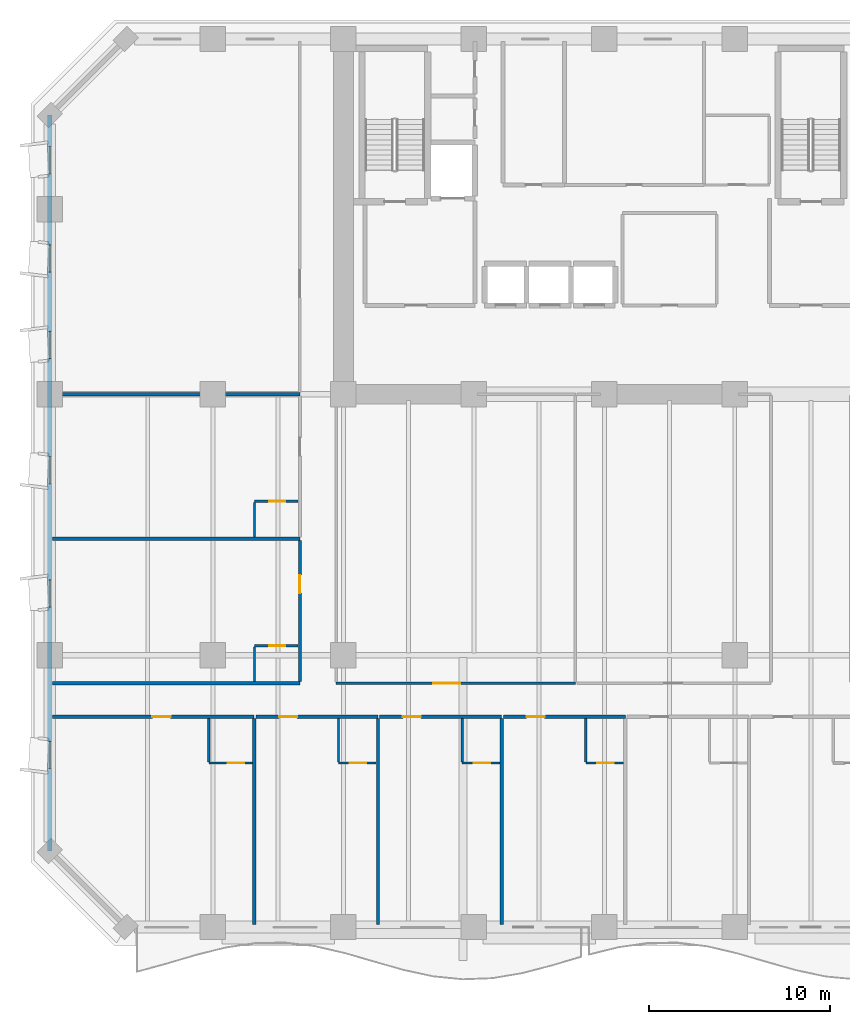
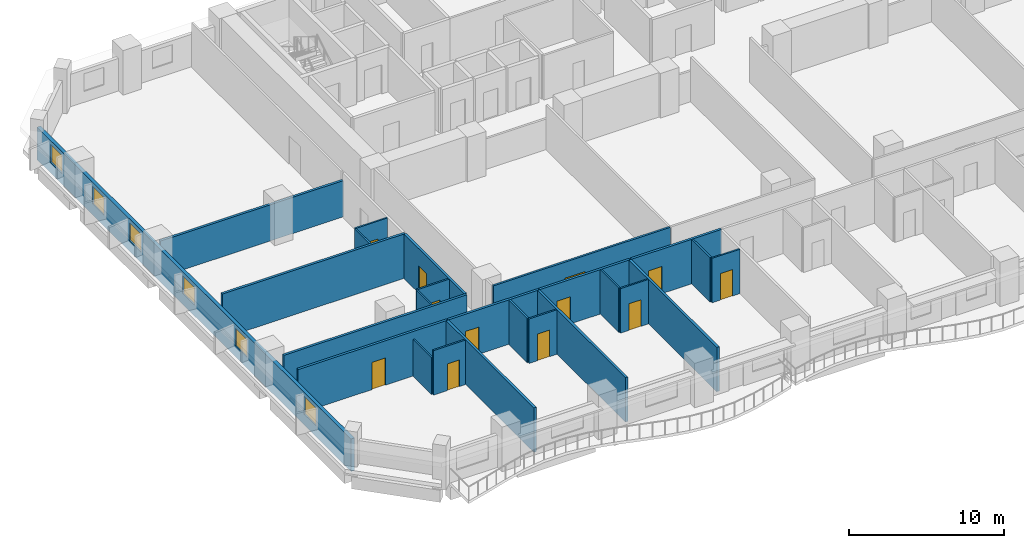
# One storey, part 4 of 15: 25 walls, 12 doors, 6 windows, 18 openings.
"""IFC4 building model written with IfcOpenShell, lengths in metres."""

from ifc_helpers import new_model, si_unit, direction, frame, frame_2d, origin, place, context, subcontext, project, spatial, rectangle, extrude, material, layer, layer_set, type_object, element, fill, save


model = new_model("IFC4")

# Units and contexts
model_context = context("Model", 3, precision=1e-05, world=origin(), true_north=direction((0.0, 1.0)))
body_context = subcontext(model_context, "Body", "Model", "MODEL_VIEW")
ifc_project = project(units=[si_unit("LENGTHUNIT", "METRE"), si_unit("AREAUNIT", "SQUARE_METRE"), si_unit("VOLUMEUNIT", "CUBIC_METRE"), si_unit("PLANEANGLEUNIT", "RADIAN"), si_unit("MASSUNIT", "GRAM", prefix="KILO")], contexts=[model_context])

# Site, building, storey
site_placement = place(None, origin())
site = spatial("IfcSite", under=ifc_project, at=site_placement, CompositionType="ELEMENT")
building_placement = place(site_placement, origin())
building = spatial("IfcBuilding", under=site, at=building_placement, Name="Kaelvorn Grand Hotel", CompositionType="ELEMENT")
storey_placement = place(building_placement, frame((0.0, 0.0, 57.64990234375)))
storey = spatial("IfcBuildingStorey", under=building, at=storey_placement, Name="L12", CompositionType="ELEMENT", Elevation=57.64990234375)

# Wall, openings, windows
ifc_material_1 = material(Name="Concrete C40/50", Category="concrete")
ifc_layer_1 = layer(ifc_material_1, 0.260009765625)
ifc_layer_set_1 = layer_set([ifc_layer_1], Name="Concrete C40/50")
wall_type_1 = type_object("IfcWallType", Name="WL-EXT-260-C40", PredefinedType="SOLIDWALL", material=ifc_layer_set_1)
wall_1_placement = place(storey_placement, frame((0.0, 44.800048828125, 0.0), z_axis=(0.0, 0.0, 1.0), x_axis=(0.0, -1.0, 0.0)))
wall_1 = element("IfcWall", 1, at=wall_1_placement, inside=storey, type_object=wall_type_1, Name="L12 Exterior Architectural Concrete Wall 07", PredefinedType="SOLIDWALL", context=body_context, shape_type="SweptSolid", body=[
    extrude(rectangle(XDim=40.60009765625, YDim=0.260009765625, at=frame_2d((20.300048828125, 0.0))), origin(), (0.0, 0.0, 1.0), 2.56005859375),
])
opening_1_placement = place(wall_1_placement, frame((34.550048828125, 0.0, 0.85009765625)))
opening_1 = element("IfcOpeningElement", 2, at=opening_1_placement, cuts=wall_1, Name="Opening W10", PredefinedType="OPENING", context=body_context, shape_type="SweptSolid", body=[
    extrude(rectangle(XDim=1.5, YDim=1.39990234375, at=frame_2d((0.75, 0.699951171875))), frame((0.0, 0.14013671875, 0.0), z_axis=(0.0, -1.0, 0.0), x_axis=(1.0, 0.0, 0.0)), (0.0, 0.0, 1.0), 0.280029296875),
])
opening_2_placement = place(wall_1_placement, frame((25.639892578125, 0.0, 0.85009765625)))
opening_2 = element("IfcOpeningElement", 3, at=opening_2_placement, cuts=wall_1, Name="Opening W10", PredefinedType="OPENING", context=body_context, shape_type="SweptSolid", body=[
    extrude(rectangle(XDim=1.5, YDim=1.39990234375, at=frame_2d((0.75, 0.699951171875))), frame((0.0, 0.14013671875, 0.0), z_axis=(0.0, -1.0, 0.0), x_axis=(1.0, 0.0, 0.0)), (0.0, 0.0, 1.0), 0.280029296875),
])
opening_3_placement = place(wall_1_placement, frame((18.840087890625, 0.0, 0.85009765625)))
opening_3 = element("IfcOpeningElement", 4, at=opening_3_placement, cuts=wall_1, Name="Opening W10", PredefinedType="OPENING", context=body_context, shape_type="SweptSolid", body=[
    extrude(rectangle(XDim=1.5, YDim=1.39990234375, at=frame_2d((0.75, 0.699951171875))), frame((0.0, 0.14013671875, 0.0), z_axis=(0.0, -1.0, 0.0), x_axis=(1.0, 0.0, 0.0)), (0.0, 0.0, 1.0), 0.280029296875),
])
opening_4_placement = place(wall_1_placement, frame((11.93505859375, 0.0, 0.85009765625)))
opening_4 = element("IfcOpeningElement", 5, at=opening_4_placement, cuts=wall_1, Name="Opening W10", PredefinedType="OPENING", context=body_context, shape_type="SweptSolid", body=[
    extrude(rectangle(XDim=1.5, YDim=1.39990234375, at=frame_2d((0.75, 0.699951171875))), frame((0.0, 0.14013671875, 0.0), z_axis=(0.0, -1.0, 0.0), x_axis=(1.0, 0.0, 0.0)), (0.0, 0.0, 1.0), 0.280029296875),
])
opening_5_placement = place(wall_1_placement, frame((7.1650390625, 0.0, 0.85009765625)))
opening_5 = element("IfcOpeningElement", 6, at=opening_5_placement, cuts=wall_1, Name="Opening W10", PredefinedType="OPENING", context=body_context, shape_type="SweptSolid", body=[
    extrude(rectangle(XDim=1.5, YDim=1.39990234375, at=frame_2d((0.75, 0.699951171875))), frame((0.0, 0.14013671875, 0.0), z_axis=(0.0, -1.0, 0.0), x_axis=(1.0, 0.0, 0.0)), (0.0, 0.0, 1.0), 0.280029296875),
])
opening_6_placement = place(wall_1_placement, frame((1.735107421875, 0.0, 0.85009765625)))
opening_6 = element("IfcOpeningElement", 7, at=opening_6_placement, cuts=wall_1, Name="Opening W10", PredefinedType="OPENING", context=body_context, shape_type="SweptSolid", body=[
    extrude(rectangle(XDim=1.5, YDim=1.39990234375, at=frame_2d((0.75, 0.699951171875))), frame((0.0, 0.14013671875, 0.0), z_axis=(0.0, -1.0, 0.0), x_axis=(1.0, 0.0, 0.0)), (0.0, 0.0, 1.0), 0.280029296875),
])
ifc_material_2 = material(Name="Laminated Low-E Glass", Category="glass")
window_type = type_object("IfcWindowType", Name="WIN-COR-1500x1400", PartitioningType="SINGLE_PANEL", PredefinedType="WINDOW", material=ifc_material_2)
window_1_placement = place(opening_1_placement, origin())
window_1 = element("IfcWindow", 8, at=window_1_placement, inside=storey, type_object=window_type, Name="L12 W Wing Tilted-Frame Ribbon Window W01", OverallHeight=1.39990234375, OverallWidth=1.5, PartitioningType="SINGLE_PANEL", PredefinedType="WINDOW", context=body_context, shape_type="SweptSolid", body=[
    extrude(rectangle(XDim=1.5, YDim=1.39990234375, at=frame_2d((0.75, 0.699951171875))), frame((0.0, 0.030029296875, 0.0), z_axis=(0.0, -1.0, 0.0), x_axis=(1.0, 0.0, 0.0)), (0.0, 0.0, 1.0), 0.06005859375),
])
fill(opening_1, window_1)
window_2_placement = place(opening_2_placement, origin())
window_2 = element("IfcWindow", 9, at=window_2_placement, inside=storey, type_object=window_type, Name="L12 W Wing Tilted-Frame Ribbon Window W02", OverallHeight=1.39990234375, OverallWidth=1.5, PartitioningType="SINGLE_PANEL", PredefinedType="WINDOW", context=body_context, shape_type="SweptSolid", body=[
    extrude(rectangle(XDim=1.5, YDim=1.39990234375, at=frame_2d((0.75, 0.699951171875))), frame((0.0, 0.030029296875, 0.0), z_axis=(0.0, -1.0, 0.0), x_axis=(1.0, 0.0, 0.0)), (0.0, 0.0, 1.0), 0.06005859375),
])
fill(opening_2, window_2)
window_3_placement = place(opening_3_placement, origin())
window_3 = element("IfcWindow", 10, at=window_3_placement, inside=storey, type_object=window_type, Name="L12 W Wing Tilted-Frame Ribbon Window W03", OverallHeight=1.39990234375, OverallWidth=1.5, PartitioningType="SINGLE_PANEL", PredefinedType="WINDOW", context=body_context, shape_type="SweptSolid", body=[
    extrude(rectangle(XDim=1.5, YDim=1.39990234375, at=frame_2d((0.75, 0.699951171875))), frame((0.0, 0.030029296875, 0.0), z_axis=(0.0, -1.0, 0.0), x_axis=(1.0, 0.0, 0.0)), (0.0, 0.0, 1.0), 0.06005859375),
])
fill(opening_3, window_3)
window_4_placement = place(opening_4_placement, origin())
window_4 = element("IfcWindow", 11, at=window_4_placement, inside=storey, type_object=window_type, Name="L12 W Wing Tilted-Frame Ribbon Window W04", OverallHeight=1.39990234375, OverallWidth=1.5, PartitioningType="SINGLE_PANEL", PredefinedType="WINDOW", context=body_context, shape_type="SweptSolid", body=[
    extrude(rectangle(XDim=1.5, YDim=1.39990234375, at=frame_2d((0.75, 0.699951171875))), frame((0.0, 0.030029296875, 0.0), z_axis=(0.0, -1.0, 0.0), x_axis=(1.0, 0.0, 0.0)), (0.0, 0.0, 1.0), 0.06005859375),
])
fill(opening_4, window_4)
window_5_placement = place(opening_5_placement, origin())
window_5 = element("IfcWindow", 12, at=window_5_placement, inside=storey, type_object=window_type, Name="L12 W Wing Tilted-Frame Ribbon Window W05", OverallHeight=1.39990234375, OverallWidth=1.5, PartitioningType="SINGLE_PANEL", PredefinedType="WINDOW", context=body_context, shape_type="SweptSolid", body=[
    extrude(rectangle(XDim=1.5, YDim=1.39990234375, at=frame_2d((0.75, 0.699951171875))), frame((0.0, 0.030029296875, 0.0), z_axis=(0.0, -1.0, 0.0), x_axis=(1.0, 0.0, 0.0)), (0.0, 0.0, 1.0), 0.06005859375),
])
fill(opening_5, window_5)
window_6_placement = place(opening_6_placement, origin())
window_6 = element("IfcWindow", 13, at=window_6_placement, inside=storey, type_object=window_type, Name="L12 W Wing Tilted-Frame Ribbon Window W06", OverallHeight=1.39990234375, OverallWidth=1.5, PartitioningType="SINGLE_PANEL", PredefinedType="WINDOW", context=body_context, shape_type="SweptSolid", body=[
    extrude(rectangle(XDim=1.5, YDim=1.39990234375, at=frame_2d((0.75, 0.699951171875))), frame((0.0, 0.030029296875, 0.0), z_axis=(0.0, -1.0, 0.0), x_axis=(1.0, 0.0, 0.0)), (0.0, 0.0, 1.0), 0.06005859375),
])
fill(opening_6, window_6)

# Wall, opening, door
ifc_material_3 = material(Name="Moisture-Resistant Tile & Stud Board")
ifc_layer_2 = layer(ifc_material_3, 0.125)
ifc_layer_set_2 = layer_set([ifc_layer_2], Name="Moisture-Resistant Tile & Stud Board")
wall_type_2 = type_object("IfcWallType", Name="WL-PART-125-WET", PredefinedType="PARTITIONING", material=ifc_layer_set_2)
wall_2_placement = place(storey_placement, frame((8.77734375, 9.050048828125, 0.0), z_axis=(0.0, 0.0, 1.0), x_axis=(1.0, 0.0, 0.0)))
wall_2 = element("IfcWall", 14, at=wall_2_placement, inside=storey, type_object=wall_type_2, Name="L12 En-suite Bathroom L12-01 S Partition", PredefinedType="PARTITIONING", context=body_context, shape_type="SweptSolid", body=[
    extrude(rectangle(XDim=2.405029296875, YDim=0.125, at=frame_2d((1.20263671875, 0.0))), origin(), (0.0, 0.0, 1.0), 3.510009765625),
])
opening_7_placement = place(wall_2_placement, frame((1.050048828125, 0.0, 0.0)))
opening_7 = element("IfcOpeningElement", 15, at=opening_7_placement, cuts=wall_2, Name="Opening DI4", PredefinedType="OPENING", context=body_context, shape_type="SweptSolid", body=[
    extrude(rectangle(XDim=0.89990234375, YDim=2.10009765625, at=frame_2d((0.449951171875, 1.050048828125))), frame((0.0, 0.072509765625, 0.0), z_axis=(0.0, -1.0, 0.0), x_axis=(1.0, 0.0, 0.0)), (0.0, 0.0, 1.0), 0.14501953125),
])
ifc_material_4 = material(Name="Timber Veneer Leaf", Category="wood")
door_type_1 = type_object("IfcDoorType", Name="DR-INT-BATH-900x2100", OperationType="NOTDEFINED", PredefinedType="DOOR", material=ifc_material_4)
door_1_placement = place(opening_7_placement, origin())
door_1 = element("IfcDoor", 16, at=door_1_placement, inside=storey, type_object=door_type_1, Name="L12 En-suite Bathroom L12-01 Door", OperationType="SINGLE_SWING_LEFT", OverallHeight=2.10009765625, OverallWidth=0.89990234375, PredefinedType="DOOR", context=body_context, shape_type="SweptSolid", body=[
    extrude(rectangle(XDim=0.89990234375, YDim=2.10009765625, at=frame_2d((0.449951171875, 1.050048828125))), frame((0.0, 0.02490234375, 0.0), z_axis=(0.0, -1.0, 0.0), x_axis=(1.0, 0.0, 0.0)), (0.0, 0.0, 1.0), 0.050048828125),
])
fill(opening_7, door_1)

# Wall
wall_3_placement = place(storey_placement, frame((8.77734375, 9.117431640625, 0.0), z_axis=(0.0, 0.0, 1.0), x_axis=(0.0, 1.0, 0.0)))
element("IfcWall", 17, at=wall_3_placement, inside=storey, type_object=wall_type_2, Name="L12 En-suite Bathroom L12-01 W Partition", PredefinedType="PARTITIONING", context=body_context, shape_type="SweptSolid", body=[
    extrude(rectangle(XDim=2.387451171875, YDim=0.125, at=frame_2d((1.19384765625, 0.0))), origin(), (0.0, 0.0, 1.0), 2.89794921875),
])

# Wall, opening, door
wall_4_placement = place(storey_placement, frame((15.924560546875, 9.050048828125, 0.0), z_axis=(0.0, 0.0, 1.0), x_axis=(1.0, 0.0, 0.0)))
wall_4 = element("IfcWall", 18, at=wall_4_placement, inside=storey, type_object=wall_type_2, Name="L12 En-suite Bathroom L12-02 S Partition", PredefinedType="PARTITIONING", context=body_context, shape_type="SweptSolid", body=[
    extrude(rectangle(XDim=2.0849609375, YDim=0.125, at=frame_2d((1.04248046875, 0.0))), origin(), (0.0, 0.0, 1.0), 3.510009765625),
])
opening_8_placement = place(wall_4_placement, frame((0.639892578125, 0.0, 0.0)))
opening_8 = element("IfcOpeningElement", 19, at=opening_8_placement, cuts=wall_4, Name="Opening DI4", PredefinedType="OPENING", context=body_context, shape_type="SweptSolid", body=[
    extrude(rectangle(XDim=0.89990234375, YDim=2.10009765625, at=frame_2d((0.449951171875, 1.050048828125))), frame((0.0, 0.072509765625, 0.0), z_axis=(0.0, -1.0, 0.0), x_axis=(1.0, 0.0, 0.0)), (0.0, 0.0, 1.0), 0.14501953125),
])
door_2_placement = place(opening_8_placement, origin())
door_2 = element("IfcDoor", 20, at=door_2_placement, inside=storey, type_object=door_type_1, Name="L12 En-suite Bathroom L12-02 Door", OperationType="SINGLE_SWING_LEFT", OverallHeight=2.10009765625, OverallWidth=0.89990234375, PredefinedType="DOOR", context=body_context, shape_type="SweptSolid", body=[
    extrude(rectangle(XDim=0.89990234375, YDim=2.10009765625, at=frame_2d((0.449951171875, 1.050048828125))), frame((0.0, 0.02490234375, 0.0), z_axis=(0.0, -1.0, 0.0), x_axis=(1.0, 0.0, 0.0)), (0.0, 0.0, 1.0), 0.050048828125),
])
fill(opening_8, door_2)

# Wall
wall_5_placement = place(storey_placement, frame((15.924560546875, 9.117431640625, 0.0), z_axis=(0.0, 0.0, 1.0), x_axis=(0.0, 1.0, 0.0)))
element("IfcWall", 21, at=wall_5_placement, inside=storey, type_object=wall_type_2, Name="L12 En-suite Bathroom L12-02 W Partition", PredefinedType="PARTITIONING", context=body_context, shape_type="SweptSolid", body=[
    extrude(rectangle(XDim=2.387451171875, YDim=0.125, at=frame_2d((1.19384765625, 0.0))), origin(), (0.0, 0.0, 1.0), 3.510009765625),
])

# Wall, opening, door
wall_6_placement = place(storey_placement, frame((22.751708984375, 9.050048828125, 0.0), z_axis=(0.0, 0.0, 1.0), x_axis=(1.0, 0.0, 0.0)))
wall_6 = element("IfcWall", 22, at=wall_6_placement, inside=storey, type_object=wall_type_2, Name="L12 En-suite Bathroom L12-03 S Partition", PredefinedType="PARTITIONING", context=body_context, shape_type="SweptSolid", body=[
    extrude(rectangle(XDim=2.085205078125, YDim=0.125, at=frame_2d((1.04248046875, 0.0))), origin(), (0.0, 0.0, 1.0), 3.510009765625),
])
opening_9_placement = place(wall_6_placement, frame((0.639892578125, 0.0, 0.0)))
opening_9 = element("IfcOpeningElement", 23, at=opening_9_placement, cuts=wall_6, Name="Opening DI4", PredefinedType="OPENING", context=body_context, shape_type="SweptSolid", body=[
    extrude(rectangle(XDim=0.89990234375, YDim=2.10009765625, at=frame_2d((0.449951171875, 1.050048828125))), frame((0.0, 0.072509765625, 0.0), z_axis=(0.0, -1.0, 0.0), x_axis=(1.0, 0.0, 0.0)), (0.0, 0.0, 1.0), 0.14501953125),
])
door_3_placement = place(opening_9_placement, origin())
door_3 = element("IfcDoor", 24, at=door_3_placement, inside=storey, type_object=door_type_1, Name="L12 En-suite Bathroom L12-03 Door", OperationType="SINGLE_SWING_LEFT", OverallHeight=2.10009765625, OverallWidth=0.89990234375, PredefinedType="DOOR", context=body_context, shape_type="SweptSolid", body=[
    extrude(rectangle(XDim=0.89990234375, YDim=2.10009765625, at=frame_2d((0.449951171875, 1.050048828125))), frame((0.0, 0.02490234375, 0.0), z_axis=(0.0, -1.0, 0.0), x_axis=(1.0, 0.0, 0.0)), (0.0, 0.0, 1.0), 0.050048828125),
])
fill(opening_9, door_3)

# Wall
wall_7_placement = place(storey_placement, frame((22.751708984375, 9.117431640625, 0.0), z_axis=(0.0, 0.0, 1.0), x_axis=(0.0, 1.0, 0.0)))
element("IfcWall", 25, at=wall_7_placement, inside=storey, type_object=wall_type_2, Name="L12 En-suite Bathroom L12-03 W Partition", PredefinedType="PARTITIONING", context=body_context, shape_type="SweptSolid", body=[
    extrude(rectangle(XDim=2.387451171875, YDim=0.125, at=frame_2d((1.19384765625, 0.0))), origin(), (0.0, 0.0, 1.0), 3.510009765625),
])

# Wall, opening, door
wall_8_placement = place(storey_placement, frame((29.5791015625, 9.050048828125, 0.0), z_axis=(0.0, 0.0, 1.0), x_axis=(1.0, 0.0, 0.0)))
wall_8 = element("IfcWall", 26, at=wall_8_placement, inside=storey, type_object=wall_type_2, Name="L12 En-suite Bathroom L12-04 S Partition", PredefinedType="PARTITIONING", context=body_context, shape_type="SweptSolid", body=[
    extrude(rectangle(XDim=2.0849609375, YDim=0.125, at=frame_2d((1.04248046875, 0.0))), origin(), (0.0, 0.0, 1.0), 3.510009765625),
])
opening_10_placement = place(wall_8_placement, frame((0.639892578125, 0.0, 0.0)))
opening_10 = element("IfcOpeningElement", 27, at=opening_10_placement, cuts=wall_8, Name="Opening DI4", PredefinedType="OPENING", context=body_context, shape_type="SweptSolid", body=[
    extrude(rectangle(XDim=0.89990234375, YDim=2.10009765625, at=frame_2d((0.449951171875, 1.050048828125))), frame((0.0, 0.072509765625, 0.0), z_axis=(0.0, -1.0, 0.0), x_axis=(1.0, 0.0, 0.0)), (0.0, 0.0, 1.0), 0.14501953125),
])
door_4_placement = place(opening_10_placement, origin())
door_4 = element("IfcDoor", 28, at=door_4_placement, inside=storey, type_object=door_type_1, Name="L12 En-suite Bathroom L12-04 Door", OperationType="SINGLE_SWING_LEFT", OverallHeight=2.10009765625, OverallWidth=0.89990234375, PredefinedType="DOOR", context=body_context, shape_type="SweptSolid", body=[
    extrude(rectangle(XDim=0.89990234375, YDim=2.10009765625, at=frame_2d((0.449951171875, 1.050048828125))), frame((0.0, 0.02490234375, 0.0), z_axis=(0.0, -1.0, 0.0), x_axis=(1.0, 0.0, 0.0)), (0.0, 0.0, 1.0), 0.050048828125),
])
fill(opening_10, door_4)

# Wall
wall_9_placement = place(storey_placement, frame((29.5791015625, 9.117431640625, 0.0), z_axis=(0.0, 0.0, 1.0), x_axis=(0.0, 1.0, 0.0)))
element("IfcWall", 29, at=wall_9_placement, inside=storey, type_object=wall_type_2, Name="L12 En-suite Bathroom L12-04 W Partition", PredefinedType="PARTITIONING", context=body_context, shape_type="SweptSolid", body=[
    extrude(rectangle(XDim=2.387451171875, YDim=0.125, at=frame_2d((1.19384765625, 0.0))), origin(), (0.0, 0.0, 1.0), 3.510009765625),
])

# Wall, opening, door
wall_10_placement = place(storey_placement, frame((11.300048828125, 15.52001953125, 0.0), z_axis=(0.0, 0.0, 1.0), x_axis=(1.0, 0.0, 0.0)))
wall_10 = element("IfcWall", 30, at=wall_10_placement, inside=storey, type_object=wall_type_2, Name="L12 En-suite Bathroom L12-12 N Partition", PredefinedType="PARTITIONING", context=body_context, shape_type="SweptSolid", body=[
    extrude(rectangle(XDim=2.405029296875, YDim=0.125, at=frame_2d((1.20263671875, 0.0))), origin(), (0.0, 0.0, 1.0), 3.510009765625),
])
opening_11_placement = place(wall_10_placement, frame((0.800048828125, 0.0, 0.0)))
opening_11 = element("IfcOpeningElement", 31, at=opening_11_placement, cuts=wall_10, Name="Opening DI4", PredefinedType="OPENING", context=body_context, shape_type="SweptSolid", body=[
    extrude(rectangle(XDim=0.89990234375, YDim=2.10009765625, at=frame_2d((0.449951171875, 1.050048828125))), frame((0.0, 0.072509765625, 0.0), z_axis=(0.0, -1.0, 0.0), x_axis=(1.0, 0.0, 0.0)), (0.0, 0.0, 1.0), 0.14501953125),
])
door_5_placement = place(opening_11_placement, origin())
door_5 = element("IfcDoor", 32, at=door_5_placement, inside=storey, type_object=door_type_1, Name="L12 En-suite Bathroom L12-12 Door", OperationType="SINGLE_SWING_LEFT", OverallHeight=2.10009765625, OverallWidth=0.89990234375, PredefinedType="DOOR", context=body_context, shape_type="SweptSolid", body=[
    extrude(rectangle(XDim=0.89990234375, YDim=2.10009765625, at=frame_2d((0.449951171875, 1.050048828125))), frame((0.0, 0.02490234375, 0.0), z_axis=(0.0, -1.0, 0.0), x_axis=(1.0, 0.0, 0.0)), (0.0, 0.0, 1.0), 0.050048828125),
])
fill(opening_11, door_5)

# Wall
wall_11_placement = place(storey_placement, frame((11.300048828125, 13.544921875, 0.0), z_axis=(0.0, 0.0, 1.0), x_axis=(0.0, 1.0, 0.0)))
element("IfcWall", 33, at=wall_11_placement, inside=storey, type_object=wall_type_2, Name="L12 En-suite Bathroom L12-12 W Partition", PredefinedType="PARTITIONING", context=body_context, shape_type="SweptSolid", body=[
    extrude(rectangle(XDim=1.907470703125, YDim=0.125, at=frame_2d((0.95361328125, 0.0))), origin(), (0.0, 0.0, 1.0), 3.510009765625),
])

# Wall, opening, door
wall_12_placement = place(storey_placement, frame((11.300048828125, 23.489990234375, 0.0), z_axis=(0.0, 0.0, 1.0), x_axis=(1.0, 0.0, 0.0)))
wall_12 = element("IfcWall", 34, at=wall_12_placement, inside=storey, type_object=wall_type_2, Name="L12 En-suite Bathroom L12-13 N Partition", PredefinedType="PARTITIONING", context=body_context, shape_type="SweptSolid", body=[
    extrude(rectangle(XDim=2.405029296875, YDim=0.125, at=frame_2d((1.20263671875, 0.0))), origin(), (0.0, 0.0, 1.0), 3.510009765625),
])
opening_12_placement = place(wall_12_placement, frame((0.800048828125, 0.0, 0.0)))
opening_12 = element("IfcOpeningElement", 35, at=opening_12_placement, cuts=wall_12, Name="Opening DI4", PredefinedType="OPENING", context=body_context, shape_type="SweptSolid", body=[
    extrude(rectangle(XDim=0.89990234375, YDim=2.10009765625, at=frame_2d((0.449951171875, 1.050048828125))), frame((0.0, 0.072509765625, 0.0), z_axis=(0.0, -1.0, 0.0), x_axis=(1.0, 0.0, 0.0)), (0.0, 0.0, 1.0), 0.14501953125),
])
door_6_placement = place(opening_12_placement, origin())
door_6 = element("IfcDoor", 36, at=door_6_placement, inside=storey, type_object=door_type_1, Name="L12 En-suite Bathroom L12-13 Door", OperationType="SINGLE_SWING_LEFT", OverallHeight=2.10009765625, OverallWidth=0.89990234375, PredefinedType="DOOR", context=body_context, shape_type="SweptSolid", body=[
    extrude(rectangle(XDim=0.89990234375, YDim=2.10009765625, at=frame_2d((0.449951171875, 1.050048828125))), frame((0.0, 0.02490234375, 0.0), z_axis=(0.0, -1.0, 0.0), x_axis=(1.0, 0.0, 0.0)), (0.0, 0.0, 1.0), 0.050048828125),
])
fill(opening_12, door_6)

# Wall
wall_13_placement = place(storey_placement, frame((11.300048828125, 21.514892578125, 0.0), z_axis=(0.0, 0.0, 1.0), x_axis=(0.0, 1.0, 0.0)))
element("IfcWall", 37, at=wall_13_placement, inside=storey, type_object=wall_type_2, Name="L12 En-suite Bathroom L12-13 W Partition", PredefinedType="PARTITIONING", context=body_context, shape_type="SweptSolid", body=[
    extrude(rectangle(XDim=1.90771484375, YDim=0.125, at=frame_2d((0.953857421875, 0.0))), origin(), (0.0, 0.0, 1.0), 3.510009765625),
])

# Wall, opening, door
ifc_material_5 = material(Name="Acoustic Gypsum & Stud Partition")
ifc_layer_3 = layer(ifc_material_5, 0.14990234375)
ifc_layer_set_3 = layer_set([ifc_layer_3], Name="Acoustic Gypsum & Stud Partition")
wall_type_3 = type_object("IfcWallType", Name="WL-PART-150-EI60", PredefinedType="PARTITIONING", material=ifc_layer_set_3)
wall_14_placement = place(storey_placement, frame((15.800048828125, 13.449951171875, 0.0), z_axis=(0.0, 0.0, 1.0), x_axis=(1.0, 0.0, 0.0)))
wall_14 = element("IfcWall", 38, at=wall_14_placement, inside=storey, type_object=wall_type_3, Name="L12 Reading Library Lounge S Partition", PredefinedType="PARTITIONING", context=body_context, shape_type="SweptSolid", body=[
    extrude(rectangle(XDim=13.199951171875, YDim=0.14990234375, at=frame_2d((6.60009765625, 0.0))), origin(), (0.0, 0.0, 1.0), 3.510009765625),
])
opening_13_placement = place(wall_14_placement, frame((5.35009765625, 0.0, 0.0)))
opening_13 = element("IfcOpeningElement", 39, at=opening_13_placement, cuts=wall_14, Name="Opening DI5", PredefinedType="OPENING", context=body_context, shape_type="SweptSolid", body=[
    extrude(rectangle(XDim=1.5, YDim=2.25, at=frame_2d((0.75, 1.125))), frame((0.0, 0.0849609375, 0.0), z_axis=(0.0, -1.0, 0.0), x_axis=(1.0, 0.0, 0.0)), (0.0, 0.0, 1.0), 0.169921875),
])
ifc_material_6 = material(Name="Timber Veneer Fire Leaf", Category="wood")
door_type_2 = type_object("IfcDoorType", Name="DR-INT-SALON-1500x2250", OperationType="DOUBLE_DOOR_SINGLE_SWING", PredefinedType="DOOR", material=ifc_material_6)
door_7_placement = place(opening_13_placement, origin())
door_7 = element("IfcDoor", 40, at=door_7_placement, inside=storey, type_object=door_type_2, Name="L12 Reading Library Lounge Door", OperationType="DOUBLE_DOOR_SINGLE_SWING", OverallHeight=2.25, OverallWidth=1.5, PredefinedType="DOOR", context=body_context, shape_type="SweptSolid", body=[
    extrude(rectangle(XDim=1.5, YDim=2.25, at=frame_2d((0.75, 1.125))), frame((0.0, 0.02490234375, 0.0), z_axis=(0.0, -1.0, 0.0), x_axis=(1.0, 0.0, 0.0)), (0.0, 0.0, 1.0), 0.050048828125),
])
fill(opening_13, door_7)

ifc_layer_4 = layer(ifc_material_5, 0.179931640625)
ifc_layer_set_4 = layer_set([ifc_layer_4], Name="Acoustic Gypsum & Stud Partition")
wall_type_4 = type_object("IfcWallType", Name="WL-PART-180-EI60", PredefinedType="PARTITIONING", material=ifc_layer_set_4)
wall_15_placement = place(storey_placement, frame((0.14990234375, 11.60009765625, 0.0), z_axis=(0.0, 0.0, 1.0), x_axis=(1.0, 0.0, 0.0)))
wall_15 = element("IfcWall", 41, at=wall_15_placement, inside=storey, type_object=wall_type_4, Name="L12 Deluxe Panoramic Suite L12-01 N Partition", PredefinedType="PARTITIONING", context=body_context, shape_type="SweptSolid", body=[
    extrude(rectangle(XDim=11.12744140625, YDim=0.179931640625, at=frame_2d((5.563720703125, 0.0))), origin(), (0.0, 0.0, 1.0), 3.510009765625),
])
opening_14_placement = place(wall_15_placement, frame((5.513671875, 0.0, 0.0)))
opening_14 = element("IfcOpeningElement", 42, at=opening_14_placement, cuts=wall_15, Name="Opening DI3", PredefinedType="OPENING", context=body_context, shape_type="SweptSolid", body=[
    extrude(rectangle(XDim=1.0, YDim=2.14990234375, at=frame_2d((0.5, 1.074951171875))), frame((0.0, 0.10009765625, 0.0), z_axis=(0.0, -1.0, 0.0), x_axis=(1.0, 0.0, 0.0)), (0.0, 0.0, 1.0), 0.199951171875),
])
door_type_3 = type_object("IfcDoorType", Name="DR-INT-GUEST-1000x2150", OperationType="NOTDEFINED", PredefinedType="DOOR", material=ifc_material_6)
door_8_placement = place(opening_14_placement, origin())
door_8 = element("IfcDoor", 43, at=door_8_placement, inside=storey, type_object=door_type_3, Name="L12 Deluxe Panoramic Suite L12-01 Door", OperationType="SINGLE_SWING_RIGHT", OverallHeight=2.14990234375, OverallWidth=1.0, PredefinedType="DOOR", context=body_context, shape_type="SweptSolid", body=[
    extrude(rectangle(XDim=1.0, YDim=2.14990234375, at=frame_2d((0.5, 1.074951171875))), frame((0.0, 0.02490234375, 0.0), z_axis=(0.0, -1.0, 0.0), x_axis=(1.0, 0.0, 0.0)), (0.0, 0.0, 1.0), 0.050048828125),
])
fill(opening_14, door_8)

# Wall
wall_16_placement = place(storey_placement, frame((11.27734375, 0.14990234375, 0.0), z_axis=(0.0, 0.0, 1.0), x_axis=(0.0, 1.0, 0.0)))
element("IfcWall", 44, at=wall_16_placement, inside=storey, type_object=wall_type_4, Name="L12 Deluxe Panoramic Suite L12-01 E Partition", PredefinedType="PARTITIONING", context=body_context, shape_type="SweptSolid", body=[
    extrude(rectangle(XDim=11.35498046875, YDim=0.179931640625, at=frame_2d((5.677490234375, 0.0))), origin(), (0.0, 0.0, 1.0), 3.510009765625),
])

# Wall, opening, door
wall_17_placement = place(storey_placement, frame((11.372314453125, 11.60009765625, 0.0), z_axis=(0.0, 0.0, 1.0), x_axis=(1.0, 0.0, 0.0)))
wall_17 = element("IfcWall", 45, at=wall_17_placement, inside=storey, type_object=wall_type_4, Name="L12 Deluxe Panoramic Suite L12-02 N Partition", PredefinedType="PARTITIONING", context=body_context, shape_type="SweptSolid", body=[
    extrude(rectangle(XDim=6.732177734375, YDim=0.179931640625, at=frame_2d((3.3662109375, 0.0))), origin(), (0.0, 0.0, 1.0), 3.510009765625),
])
opening_15_placement = place(wall_17_placement, frame((1.278564453125, 0.0, 0.0)))
opening_15 = element("IfcOpeningElement", 46, at=opening_15_placement, cuts=wall_17, Name="Opening DI3", PredefinedType="OPENING", context=body_context, shape_type="SweptSolid", body=[
    extrude(rectangle(XDim=1.0, YDim=2.14990234375, at=frame_2d((0.5, 1.074951171875))), frame((0.0, 0.10009765625, 0.0), z_axis=(0.0, -1.0, 0.0), x_axis=(1.0, 0.0, 0.0)), (0.0, 0.0, 1.0), 0.199951171875),
])
door_9_placement = place(opening_15_placement, origin())
door_9 = element("IfcDoor", 47, at=door_9_placement, inside=storey, type_object=door_type_3, Name="L12 Deluxe Panoramic Suite L12-02 Door", OperationType="SINGLE_SWING_RIGHT", OverallHeight=2.14990234375, OverallWidth=1.0, PredefinedType="DOOR", context=body_context, shape_type="SweptSolid", body=[
    extrude(rectangle(XDim=1.0, YDim=2.14990234375, at=frame_2d((0.5, 1.074951171875))), frame((0.0, 0.02490234375, 0.0), z_axis=(0.0, -1.0, 0.0), x_axis=(1.0, 0.0, 0.0)), (0.0, 0.0, 1.0), 0.050048828125),
])
fill(opening_15, door_9)

# Wall
wall_18_placement = place(storey_placement, frame((18.1044921875, 0.14990234375, 0.0), z_axis=(0.0, 0.0, 1.0), x_axis=(0.0, 1.0, 0.0)))
element("IfcWall", 48, at=wall_18_placement, inside=storey, type_object=wall_type_4, Name="L12 Deluxe Panoramic Suite L12-02 E Partition", PredefinedType="PARTITIONING", context=body_context, shape_type="SweptSolid", body=[
    extrude(rectangle(XDim=11.35498046875, YDim=0.179931640625, at=frame_2d((5.677490234375, 0.0))), origin(), (0.0, 0.0, 1.0), 3.510009765625),
])

# Wall, opening, door
wall_19_placement = place(storey_placement, frame((18.199462890625, 11.60009765625, 0.0), z_axis=(0.0, 0.0, 1.0), x_axis=(1.0, 0.0, 0.0)))
wall_19 = element("IfcWall", 49, at=wall_19_placement, inside=storey, type_object=wall_type_4, Name="L12 Deluxe Panoramic Suite L12-03 N Partition", PredefinedType="PARTITIONING", context=body_context, shape_type="SweptSolid", body=[
    extrude(rectangle(XDim=6.732421875, YDim=0.179931640625, at=frame_2d((3.3662109375, 0.0))), origin(), (0.0, 0.0, 1.0), 3.510009765625),
])
opening_16_placement = place(wall_19_placement, frame((1.278564453125, 0.0, 0.0)))
opening_16 = element("IfcOpeningElement", 50, at=opening_16_placement, cuts=wall_19, Name="Opening DI3", PredefinedType="OPENING", context=body_context, shape_type="SweptSolid", body=[
    extrude(rectangle(XDim=1.0, YDim=2.14990234375, at=frame_2d((0.5, 1.074951171875))), frame((0.0, 0.10009765625, 0.0), z_axis=(0.0, -1.0, 0.0), x_axis=(1.0, 0.0, 0.0)), (0.0, 0.0, 1.0), 0.199951171875),
])
door_10_placement = place(opening_16_placement, origin())
door_10 = element("IfcDoor", 51, at=door_10_placement, inside=storey, type_object=door_type_3, Name="L12 Deluxe Panoramic Suite L12-03 Door", OperationType="SINGLE_SWING_RIGHT", OverallHeight=2.14990234375, OverallWidth=1.0, PredefinedType="DOOR", context=body_context, shape_type="SweptSolid", body=[
    extrude(rectangle(XDim=1.0, YDim=2.14990234375, at=frame_2d((0.5, 1.074951171875))), frame((0.0, 0.02490234375, 0.0), z_axis=(0.0, -1.0, 0.0), x_axis=(1.0, 0.0, 0.0)), (0.0, 0.0, 1.0), 0.050048828125),
])
fill(opening_16, door_10)

# Wall
wall_20_placement = place(storey_placement, frame((24.931884765625, 0.14990234375, 0.0), z_axis=(0.0, 0.0, 1.0), x_axis=(0.0, 1.0, 0.0)))
element("IfcWall", 52, at=wall_20_placement, inside=storey, type_object=wall_type_4, Name="L12 Deluxe Panoramic Suite L12-03 E Partition", PredefinedType="PARTITIONING", context=body_context, shape_type="SweptSolid", body=[
    extrude(rectangle(XDim=11.35498046875, YDim=0.179931640625, at=frame_2d((5.677490234375, 0.0))), origin(), (0.0, 0.0, 1.0), 3.510009765625),
])

# Wall, opening, door
wall_21_placement = place(storey_placement, frame((25.02685546875, 11.60009765625, 0.0), z_axis=(0.0, 0.0, 1.0), x_axis=(1.0, 0.0, 0.0)))
wall_21 = element("IfcWall", 53, at=wall_21_placement, inside=storey, type_object=wall_type_4, Name="L12 Deluxe Panoramic Suite L12-04 N Partition", PredefinedType="PARTITIONING", context=body_context, shape_type="SweptSolid", body=[
    extrude(rectangle(XDim=6.732177734375, YDim=0.179931640625, at=frame_2d((3.3662109375, 0.0))), origin(), (0.0, 0.0, 1.0), 3.510009765625),
])
opening_17_placement = place(wall_21_placement, frame((1.27880859375, 0.0, 0.0)))
opening_17 = element("IfcOpeningElement", 54, at=opening_17_placement, cuts=wall_21, Name="Opening DI3", PredefinedType="OPENING", context=body_context, shape_type="SweptSolid", body=[
    extrude(rectangle(XDim=1.0, YDim=2.14990234375, at=frame_2d((0.5, 1.074951171875))), frame((0.0, 0.10009765625, 0.0), z_axis=(0.0, -1.0, 0.0), x_axis=(1.0, 0.0, 0.0)), (0.0, 0.0, 1.0), 0.199951171875),
])
door_11_placement = place(opening_17_placement, origin())
door_11 = element("IfcDoor", 55, at=door_11_placement, inside=storey, type_object=door_type_3, Name="L12 Deluxe Panoramic Suite L12-04 Door", OperationType="SINGLE_SWING_RIGHT", OverallHeight=2.14990234375, OverallWidth=1.0, PredefinedType="DOOR", context=body_context, shape_type="SweptSolid", body=[
    extrude(rectangle(XDim=1.0, YDim=2.14990234375, at=frame_2d((0.5, 1.074951171875))), frame((0.0, 0.02490234375, 0.0), z_axis=(0.0, -1.0, 0.0), x_axis=(1.0, 0.0, 0.0)), (0.0, 0.0, 1.0), 0.050048828125),
])
fill(opening_17, door_11)

# Walls
for number, where, z_axis, x_axis, name in (
    (56, (0.14990234375, 13.449951171875, 0.0), (0.0, 0.0, 1.0), (1.0, 0.0, 0.0), "L12 West Wing Panoramic Suite L12-12 S Partition"),
    (57, (0.14990234375, 21.419921875, 0.0), (0.0, 0.0, 1.0), (1.0, 0.0, 0.0), "L12 West Wing Panoramic Suite L12-12 N Partition"),
):
    element("IfcWall", number, at=place(storey_placement, frame(where, z_axis=z_axis, x_axis=x_axis)), inside=storey, type_object=wall_type_4, Name=name, PredefinedType="PARTITIONING", context=body_context, shape_type="SweptSolid", body=[
        extrude(rectangle(XDim=13.650146484375, YDim=0.179931640625, at=frame_2d((6.8251953125, 0.0))), origin(), (0.0, 0.0, 1.0), 3.510009765625),
    ])

# Wall, opening, door
wall_22_placement = place(storey_placement, frame((13.800048828125, 13.544921875, 0.0), z_axis=(0.0, 0.0, 1.0), x_axis=(0.0, 1.0, 0.0)))
wall_22 = element("IfcWall", 58, at=wall_22_placement, inside=storey, type_object=wall_type_4, Name="L12 West Wing Panoramic Suite L12-12 E Partition", PredefinedType="PARTITIONING", context=body_context, shape_type="SweptSolid", body=[
    extrude(rectangle(XDim=7.780029296875, YDim=0.179931640625, at=frame_2d((3.89013671875, 0.0))), origin(), (0.0, 0.0, 1.0), 3.510009765625),
])
opening_18_placement = place(wall_22_placement, frame((4.875, 0.0, 0.0)))
opening_18 = element("IfcOpeningElement", 59, at=opening_18_placement, cuts=wall_22, Name="Opening DI3", PredefinedType="OPENING", context=body_context, shape_type="SweptSolid", body=[
    extrude(rectangle(XDim=1.0, YDim=2.14990234375, at=frame_2d((0.5, 1.074951171875))), frame((0.0, 0.10009765625, 0.0), z_axis=(0.0, -1.0, 0.0), x_axis=(1.0, 0.0, 0.0)), (0.0, 0.0, 1.0), 0.199951171875),
])
door_12_placement = place(opening_18_placement, origin())
door_12 = element("IfcDoor", 60, at=door_12_placement, inside=storey, type_object=door_type_3, Name="L12 West Wing Panoramic Suite L12-12 Door", OperationType="SINGLE_SWING_RIGHT", OverallHeight=2.14990234375, OverallWidth=1.0, PredefinedType="DOOR", context=body_context, shape_type="SweptSolid", body=[
    extrude(rectangle(XDim=1.0, YDim=2.14990234375, at=frame_2d((0.5, 1.074951171875))), frame((0.0, 0.02490234375, 0.0), z_axis=(0.0, -1.0, 0.0), x_axis=(1.0, 0.0, 0.0)), (0.0, 0.0, 1.0), 0.050048828125),
])
fill(opening_18, door_12)

# Wall
wall_23_placement = place(storey_placement, frame((0.14990234375, 29.39990234375, 0.0), z_axis=(0.0, 0.0, 1.0), x_axis=(1.0, 0.0, 0.0)))
element("IfcWall", 61, at=wall_23_placement, inside=storey, type_object=wall_type_4, Name="L12 West Mid-Wing Suite L12-13 N Partition", PredefinedType="PARTITIONING", context=body_context, shape_type="SweptSolid", body=[
    extrude(rectangle(XDim=13.650146484375, YDim=0.179931640625, at=frame_2d((6.8251953125, 0.0))), origin(), (0.0, 0.0, 1.0), 2.860107421875),
])

save(model, "model.ifc")
